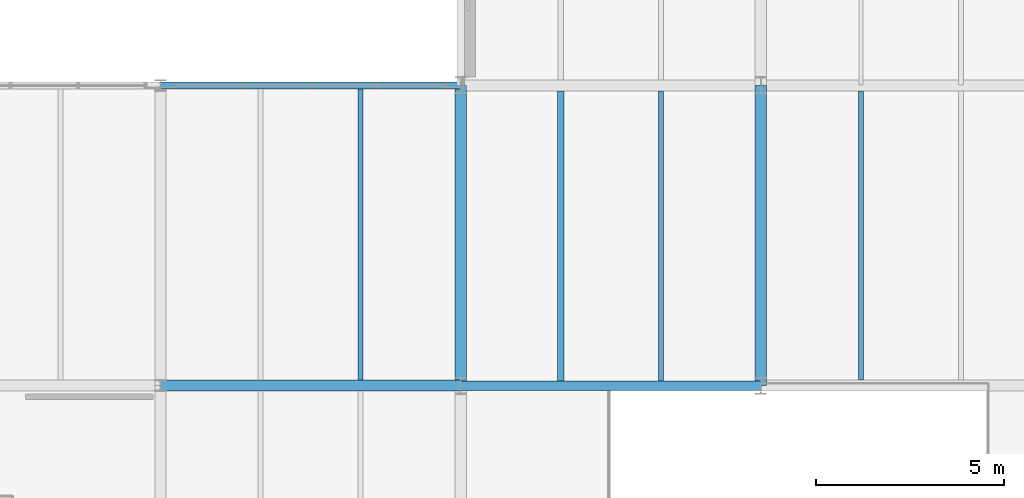
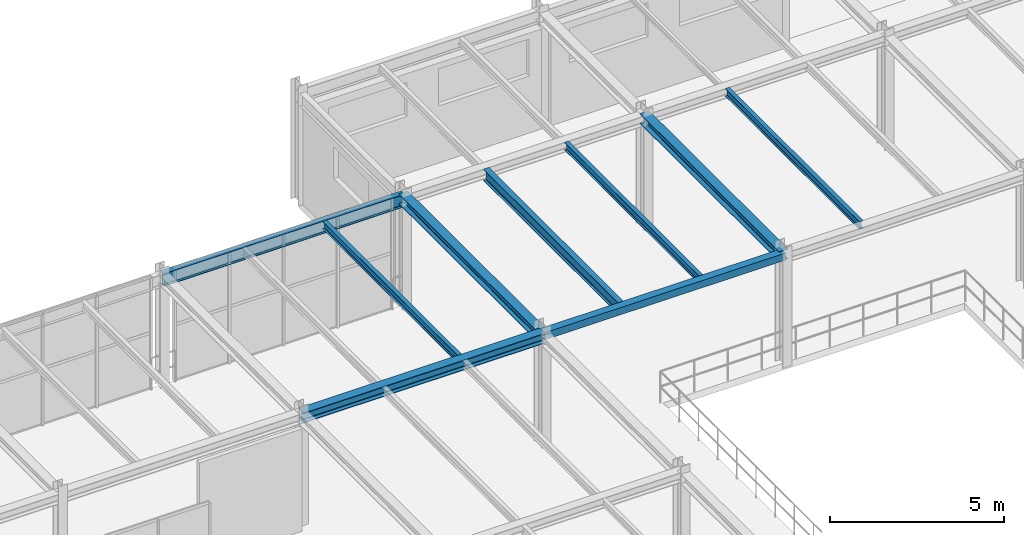
# One storey, part 51 of 124: 9 beams.
"""IFC4 building model written with IfcOpenShell, lengths in metres."""

from ifc_helpers import new_model, si_unit, direction, frame, origin, origin_2d, place, context, subcontext, project, spatial, hollow_rectangle, i_section, extrude, material, material_profile, profile_set, type_object, element, save


model = new_model("IFC4")

# Units and contexts
model_context = context("Model", 3, precision=1e-05, world=origin(), true_north=direction((0.0, 1.0)))
body_context = subcontext(model_context, "Body", "Model", "MODEL_VIEW")
ifc_project = project(units=[si_unit("LENGTHUNIT", "METRE"), si_unit("AREAUNIT", "SQUARE_METRE"), si_unit("VOLUMEUNIT", "CUBIC_METRE"), si_unit("PLANEANGLEUNIT", "RADIAN"), si_unit("MASSUNIT", "GRAM", prefix="KILO")], contexts=[model_context])

# Site, building, storey
site_placement = place(None, origin())
site = spatial("IfcSite", under=ifc_project, at=site_placement, CompositionType="ELEMENT")
building_placement = place(site_placement, origin())
building = spatial("IfcBuilding", under=site, at=building_placement, Name="Sundkrona Museum", CompositionType="ELEMENT")
storey_placement = place(building_placement, frame((0.0, 0.0, 17.60009765625)))
storey = spatial("IfcBuildingStorey", under=building, at=storey_placement, Name="L03", CompositionType="ELEMENT", Elevation=17.60009765625)

# Beams
ifc_material_1 = material(Name="Steel S355J2", Category="steel")
ifc_material_profile_1 = material_profile(ifc_material_1, i_section(OverallWidth=0.300048828125, OverallDepth=0.35009765625, WebThickness=0.010009765625, FlangeThickness=0.017578125, FilletRadius=0.027099609375, at=origin_2d()), Name="HEA 360")
ifc_profile_set_1 = profile_set([ifc_material_profile_1], Name="Steel S355J2")
beam_type_1 = type_object("IfcBeamType", Name="B-HEA360", PredefinedType="BEAM", material=ifc_profile_set_1)
for number, where, z_axis, x_axis, name in (
    (1, (112.0, 32.0, 3.764892578125), (1.0, 0.0, 0.0), (0.0, 1.0, 0.0), "L03 Girder X-1448"),
    (2, (120.0, 32.0, 3.764892578125), (0.0, 1.0, 0.0), (-1.0, 0.0, 0.0), "L03 Girder Y-1626"),
    (3, (128.0, 32.0, 3.784912109375), (0.0, 1.0, 0.0), (-1.0, 0.0, 0.0), "L03 Girder Y-1630"),
):
    element("IfcBeam", number, at=place(storey_placement, frame(where, z_axis=z_axis, x_axis=x_axis)), inside=storey, type_object=beam_type_1, Name=name, PredefinedType="BEAM", context=body_context, shape_type="SweptSolid", body=[
        extrude(i_section(OverallWidth=0.300048828125, OverallDepth=0.35009765625, WebThickness=0.010009765625, FlangeThickness=0.017578125, FilletRadius=0.027099609375, at=origin_2d()), origin(), (0.0, 0.0, 1.0), 8.0),
    ])
ifc_material_2 = material(Name="Steel S460M", Category="steel")
ifc_material_profile_2 = material_profile(ifc_material_2, hollow_rectangle(XDim=0.25, YDim=0.25, WallThickness=0.012451171875, at=origin_2d()), Name="SHS 250x250x12.5")
ifc_profile_set_2 = profile_set([ifc_material_profile_2], Name="Steel S460M")
beam_type_2 = type_object("IfcBeamType", Name="B-SHS250", PredefinedType="BEAM", material=ifc_profile_set_2)
beam_1_placement = place(storey_placement, frame((120.0, 32.0, 3.81494140625), z_axis=(1.0, 0.0, 0.0), x_axis=(0.0, 1.0, 0.0)))
element("IfcBeam", 4, at=beam_1_placement, inside=storey, type_object=beam_type_2, Name="L03 Girder X-1449", PredefinedType="BEAM", context=body_context, shape_type="SweptSolid", body=[
    extrude(hollow_rectangle(XDim=0.25, YDim=0.25, WallThickness=0.012451171875, at=origin_2d()), origin(), (0.0, 0.0, 1.0), 8.0),
])
ifc_material_profile_3 = material_profile(ifc_material_1, i_section(OverallWidth=0.135009765625, OverallDepth=0.27001953125, WebThickness=0.006591796875, FlangeThickness=0.01025390625, FilletRadius=0.014892578125, at=origin_2d()), Name="IPE 270")
ifc_profile_set_3 = profile_set([ifc_material_profile_3], Name="Steel S355J2")
beam_type_3 = type_object("IfcBeamType", Name="J-IPE270", PredefinedType="JOIST", material=ifc_profile_set_3)
beam_2_placement = place(storey_placement, frame((117.333251953125, 32.14404296875, 3.804931640625), z_axis=(0.0, 1.0, 0.0), x_axis=(-1.0, 0.0, 0.0)))
element("IfcBeam", 5, at=beam_2_placement, inside=storey, type_object=beam_type_3, Name="L03 Composite Joist 1069", PredefinedType="JOIST", context=body_context, shape_type="SweptSolid", body=[
    extrude(i_section(OverallWidth=0.135009765625, OverallDepth=0.27001953125, WebThickness=0.006591796875, FlangeThickness=0.01025390625, FilletRadius=0.014892578125, at=origin_2d()), origin(), (0.0, 0.0, 1.0), 7.766845703125),
])
beam_3_placement = place(storey_placement, frame((125.333251953125, 32.118896484375, 3.804931640625), z_axis=(0.0, 1.0, 0.0), x_axis=(-1.0, 0.0, 0.0)))
element("IfcBeam", 6, at=beam_3_placement, inside=storey, type_object=beam_type_3, Name="L03 Composite Joist 1071", PredefinedType="JOIST", context=body_context, shape_type="SweptSolid", body=[
    extrude(i_section(OverallWidth=0.135009765625, OverallDepth=0.27001953125, WebThickness=0.006591796875, FlangeThickness=0.01025390625, FilletRadius=0.014892578125, at=origin_2d()), origin(), (0.0, 0.0, 1.0), 7.737060546875),
])
beam_4_placement = place(storey_placement, frame((130.666748046875, 32.14404296875, 3.824951171875), z_axis=(0.0, 1.0, 0.0), x_axis=(-1.0, 0.0, 0.0)))
element("IfcBeam", 7, at=beam_4_placement, inside=storey, type_object=beam_type_3, Name="L03 Composite Joist 1078", PredefinedType="JOIST", context=body_context, shape_type="SweptSolid", body=[
    extrude(i_section(OverallWidth=0.135009765625, OverallDepth=0.27001953125, WebThickness=0.006591796875, FlangeThickness=0.01025390625, FilletRadius=0.014892578125, at=origin_2d()), origin(), (0.0, 0.0, 1.0), 7.7119140625),
])
ifc_material_profile_4 = material_profile(ifc_material_1, i_section(OverallWidth=0.179931640625, OverallDepth=0.39990234375, WebThickness=0.008544921875, FlangeThickness=0.013427734375, FilletRadius=0.02099609375, at=origin_2d()), Name="IPE 400")
ifc_profile_set_4 = profile_set([ifc_material_profile_4], Name="Steel S355J2")
beam_type_4 = type_object("IfcBeamType", Name="J-IPE400", PredefinedType="JOIST", material=ifc_profile_set_4)
beam_5_placement = place(storey_placement, frame((122.666748046875, 32.118896484375, 3.739990234375), z_axis=(0.0, 1.0, 0.0), x_axis=(-1.0, 0.0, 0.0)))
element("IfcBeam", 8, at=beam_5_placement, inside=storey, type_object=beam_type_4, Name="L03 Composite Joist 1070", PredefinedType="JOIST", context=body_context, shape_type="SweptSolid", body=[
    extrude(i_section(OverallWidth=0.179931640625, OverallDepth=0.39990234375, WebThickness=0.008544921875, FlangeThickness=0.013427734375, FilletRadius=0.02099609375, at=origin_2d()), origin(), (0.0, 0.0, 1.0), 7.737060546875),
])
ifc_material_profile_5 = material_profile(ifc_material_1, i_section(OverallWidth=0.18994140625, OverallDepth=0.449951171875, WebThickness=0.009521484375, FlangeThickness=0.0146484375, FilletRadius=0.02099609375, at=origin_2d()), Name="IPE 450")
ifc_profile_set_5 = profile_set([ifc_material_profile_5], Name="Steel S355J2")
beam_type_5 = type_object("IfcBeamType", Name="SP-IPE450", PredefinedType="SPANDREL", material=ifc_profile_set_5)
beam_6_placement = place(storey_placement, frame((112.0, 40.0, 3.71484375), z_axis=(1.0, 0.0, 0.0), x_axis=(0.0, 1.0, 0.0)))
element("IfcBeam", 9, at=beam_6_placement, inside=storey, type_object=beam_type_5, Name="L03 Girder X-1461", PredefinedType="SPANDREL", context=body_context, shape_type="SweptSolid", body=[
    extrude(i_section(OverallWidth=0.18994140625, OverallDepth=0.449951171875, WebThickness=0.009521484375, FlangeThickness=0.0146484375, FilletRadius=0.02099609375, at=origin_2d()), origin(), (0.0, 0.0, 1.0), 8.0),
])

save(model, "model.ifc")
